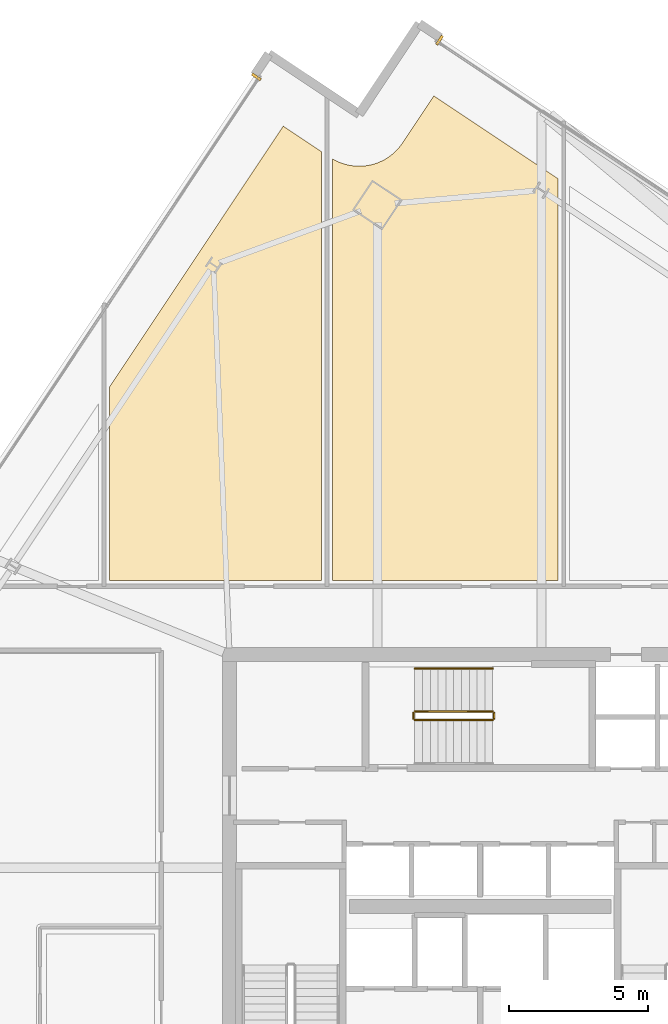
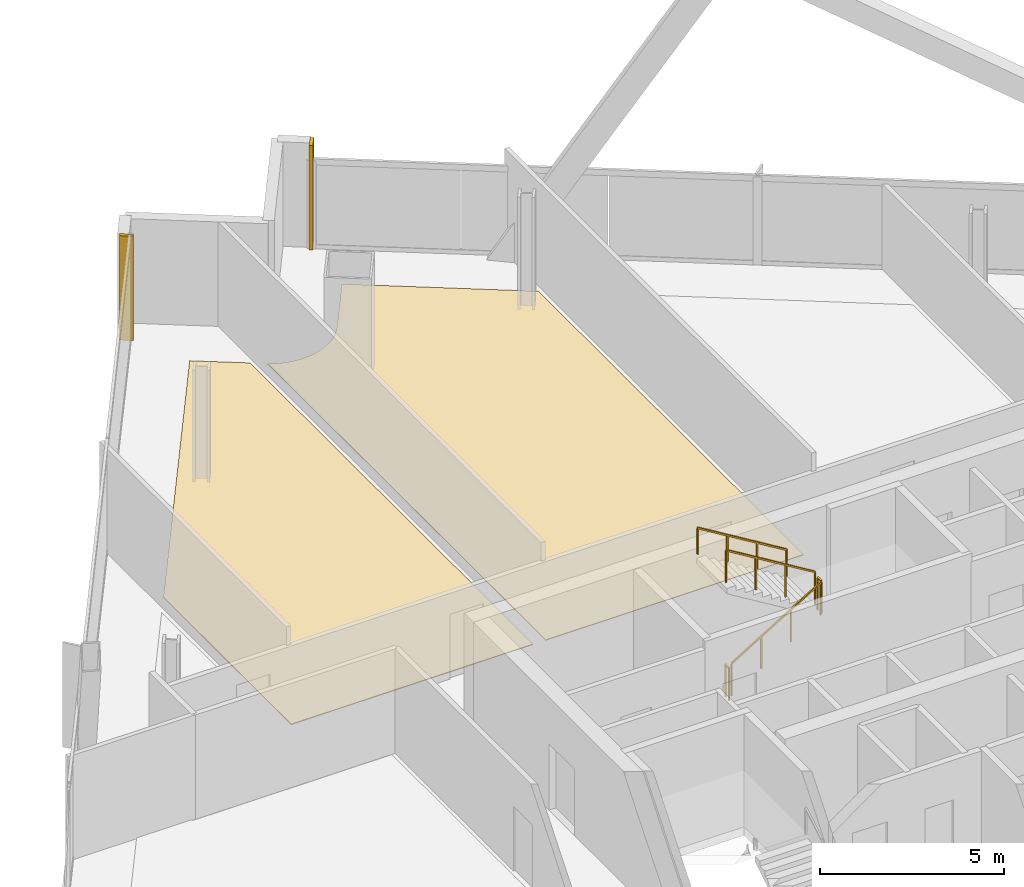
# One storey, part 31 of 32: 5 railings, 4 coverings.
"""IFC4 building model written with IfcOpenShell, lengths in metres."""

from ifc_helpers import new_model, si_unit, direction, frame, origin, origin_2d, place, context, subcontext, project, spatial, polyline, rectangle, outline, extrude, source, transform, mapped, material, layer, layer_set, type_object, element, save


model = new_model("IFC4")

# Units and contexts
model_context = context("Model", 3, precision=1e-05, world=origin(), true_north=direction((0.0, 1.0)))
body_context = subcontext(model_context, "Body", "Model", "MODEL_VIEW")
ifc_project = project(units=[si_unit("LENGTHUNIT", "METRE"), si_unit("AREAUNIT", "SQUARE_METRE"), si_unit("VOLUMEUNIT", "CUBIC_METRE"), si_unit("PLANEANGLEUNIT", "RADIAN"), si_unit("MASSUNIT", "GRAM", prefix="KILO")], contexts=[model_context])

# Site, building, storey
site_placement = place(None, origin())
site = spatial("IfcSite", under=ifc_project, at=site_placement, CompositionType="ELEMENT")
building_placement = place(site_placement, origin())
building = spatial("IfcBuilding", under=site, at=building_placement, Name="Haldenkirk Collegiate Tower", CompositionType="ELEMENT")
storey_placement = place(building_placement, frame((0.0, 0.0, 217.199951171875)))
storey = spatial("IfcBuildingStorey", under=building, at=storey_placement, Name="L54", CompositionType="ELEMENT", Elevation=217.199951171875)

# Coverings
ifc_material_1 = material(Name="Polished collegiate terrazzo", Category="concrete")
ifc_layer_1 = layer(ifc_material_1, 0.02490234375)
ifc_layer_set_1 = layer_set([ifc_layer_1], Name="Polished collegiate terrazzo")
covering_type_1 = type_object("IfcCoveringType", Name="COV-FLOOR-TERRAZZO", PredefinedType="FLOORING", material=ifc_layer_set_1)
covering_1_placement = place(storey_placement, origin())
element("IfcCovering", 1, at=covering_1_placement, inside=storey, type_object=covering_type_1, Name="L54 academic room finish 06", PredefinedType="FLOORING", context=body_context, shape_type="SweptSolid", body=[
    extrude(outline(polyline([(30.300048828125, 52.05419921875), (30.300048828125, 36.64990234375), (22.699951171875, 36.64990234375), (22.699951171875, 43.61083984375), (28.92822265625, 52.96728515625), (30.300048828125, 52.05419921875)])), origin(), (0.0, 0.0, 1.0), 0.025146484375),
])
ifc_material_2 = material(Name="Engineered collegiate oak acoustic flooring", Category="wood")
ifc_layer_2 = layer(ifc_material_2, 0.02197265625)
ifc_layer_set_2 = layer_set([ifc_layer_2], Name="Engineered collegiate oak acoustic flooring")
covering_type_2 = type_object("IfcCoveringType", Name="COV-FLOOR-TIMBER", PredefinedType="FLOORING", material=ifc_layer_set_2)
covering_2_placement = place(storey_placement, origin())
element("IfcCovering", 2, at=covering_2_placement, inside=storey, type_object=covering_type_2, Name="L54 academic room finish 07", PredefinedType="FLOORING", context=body_context, shape_type="SweptSolid", body=[
    extrude(outline(polyline([(30.699951171875, 51.79345703125), (30.7705078125, 51.751220703125), (30.78076171875, 51.745849609375), (30.93603515625, 51.672607421875), (30.947021484375, 51.668212890625), (31.10888671875, 51.610595703125), (31.1201171875, 51.607421875), (31.286865234375, 51.56591796875), (31.29833984375, 51.5634765625), (31.46826171875, 51.53857421875), (31.47998046875, 51.537353515625), (31.651611328125, 51.529296875), (31.663330078125, 51.529296875), (31.8349609375, 51.5380859375), (31.8466796875, 51.539306640625), (32.016357421875, 51.564697265625), (32.028076171875, 51.56689453125), (32.194580078125, 51.60888671875), (32.205810546875, 51.612548828125), (32.367431640625, 51.670654296875), (32.378173828125, 51.67529296875), (32.533447265625, 51.748779296875), (32.543701171875, 51.75439453125), (32.69091796875, 51.843017578125), (32.70068359375, 51.849609375), (32.83837890625, 51.9521484375), (32.847412109375, 51.959716796875), (32.974609375, 52.0751953125), (32.98291015625, 52.08349609375), (33.097900390625, 52.2109375), (33.10546875, 52.22021484375), (33.20751953125, 52.358154296875), (33.2109375, 52.363037109375), (34.335693359375, 54.052734375), (38.800048828125, 51.0810546875), (38.800048828125, 36.64990234375), (30.699951171875, 36.64990234375), (30.699951171875, 51.79345703125)])), origin(), (0.0, 0.0, 1.0), 0.02197265625),
])

# Railings
ifc_material_3 = material(Name="Painted architectural tubular steel", Category="steel")
railing_type_1 = type_object("IfcRailingType", Name="RLG-STAIR-GUARD-1100", PredefinedType="BALUSTRADE", material=ifc_material_3)
railing_1_placement = place(storey_placement, frame((33.64990234375, 31.64990234375, 0.17041015625)))
element("IfcRailing", 3, at=railing_1_placement, inside=storey, type_object=railing_type_1, Name="L54 ST-3 stair guard 1", PredefinedType="BALUSTRADE", context=body_context, shape_type="SweptSolid", body=[
    extrude(rectangle(XDim=0.048095703125, YDim=0.048095703125, at=origin_2d()), frame((0.0, 0.0, 1.076171875), z_axis=(0.854169791009, 0.0, 0.51999420009), x_axis=(0.0, 1.0, 0.0)), (0.0, 0.0, 1.0), 3.278076171875),
    extrude(rectangle(XDim=0.0419921875, YDim=0.0419921875, at=origin_2d()), origin(), (0.0, 0.0, 1.0), 1.052001953125),
    extrude(rectangle(XDim=0.0419921875, YDim=0.0419921875, at=origin_2d()), frame((0.933349609375, 0.0, 0.568115234375)), (0.0, 0.0, 1.0), 1.052001953125),
    extrude(rectangle(XDim=0.0419921875, YDim=0.0419921875, at=origin_2d()), frame((1.86669921875, 0.0, 1.136474609375)), (0.0, 0.0, 1.0), 1.052001953125),
    extrude(rectangle(XDim=0.0419921875, YDim=0.0419921875, at=origin_2d()), frame((2.800048828125, 0.0, 1.70458984375)), (0.0, 0.0, 1.0), 1.052001953125),
])
railing_2_placement = place(storey_placement, frame((36.5, 31.699951171875, 1.875)))
element("IfcRailing", 4, at=railing_2_placement, inside=storey, type_object=railing_type_1, Name="L54 ST-3 stair guard 2", PredefinedType="BALUSTRADE", context=body_context, shape_type="SweptSolid", body=[
    extrude(rectangle(XDim=0.048095703125, YDim=0.048095703125, at=origin_2d()), frame((0.0, 0.0, 1.076171875), z_axis=(0.0, 1.0, 0.0), x_axis=(-1.0, 0.0, 0.0)), (0.0, 0.0, 1.0), 0.199951171875),
    extrude(rectangle(XDim=0.0419921875, YDim=0.0419921875, at=origin_2d()), origin(), (0.0, 0.0, 1.0), 1.052001953125),
    extrude(rectangle(XDim=0.0419921875, YDim=0.0419921875, at=origin_2d()), frame((0.0, 0.199951171875, 0.0)), (0.0, 0.0, 1.0), 1.052001953125),
])
railing_3_placement = place(storey_placement, frame((36.449951171875, 31.949951171875, 2.04541015625)))
element("IfcRailing", 5, at=railing_3_placement, inside=storey, type_object=railing_type_1, Name="L54 ST-3 stair guard 3", PredefinedType="BALUSTRADE", context=body_context, shape_type="SweptSolid", body=[
    extrude(rectangle(XDim=0.048095703125, YDim=0.048095703125, at=origin_2d()), frame((0.0, 0.0, 1.076171875), z_axis=(-0.854169791009, 0.0, 0.51999420009), x_axis=(0.0, -1.0, 0.0)), (0.0, 0.0, 1.0), 3.278076171875),
    extrude(rectangle(XDim=0.0419921875, YDim=0.0419921875, at=origin_2d()), origin(), (0.0, 0.0, 1.0), 1.052001953125),
    extrude(rectangle(XDim=0.0419921875, YDim=0.0419921875, at=origin_2d()), frame((-0.933349609375, 0.0, 0.568115234375)), (0.0, 0.0, 1.0), 1.052001953125),
    extrude(rectangle(XDim=0.0419921875, YDim=0.0419921875, at=origin_2d()), frame((-1.86669921875, 0.0, 1.136474609375)), (0.0, 0.0, 1.0), 1.052001953125),
    extrude(rectangle(XDim=0.0419921875, YDim=0.0419921875, at=origin_2d()), frame((-2.800048828125, 0.0, 1.70458984375)), (0.0, 0.0, 1.0), 1.052001953125),
])
railing_4_placement = place(storey_placement, frame((33.60009765625, 31.699951171875, 0.0)))
element("IfcRailing", 6, at=railing_4_placement, inside=storey, type_object=railing_type_1, Name="L54 ST-3 stair guard 4", PredefinedType="BALUSTRADE", context=body_context, shape_type="SweptSolid", body=[
    extrude(rectangle(XDim=0.048095703125, YDim=0.048095703125, at=origin_2d()), frame((0.0, 0.0, 1.076171875), z_axis=(0.0, 1.0, 0.0), x_axis=(-1.0, 0.0, 0.0)), (0.0, 0.0, 1.0), 0.199951171875),
    extrude(rectangle(XDim=0.0419921875, YDim=0.0419921875, at=origin_2d()), origin(), (0.0, 0.0, 1.0), 1.052001953125),
    extrude(rectangle(XDim=0.0419921875, YDim=0.0419921875, at=origin_2d()), frame((0.0, 0.199951171875, 0.0)), (0.0, 0.0, 1.0), 1.052001953125),
])
railing_type_2 = type_object("IfcRailingType", Name="RLG-STAIR-HANDRAIL-900", PredefinedType="HANDRAIL", material=ifc_material_3)
railing_5_placement = place(storey_placement, frame((36.449951171875, 33.5, 2.04541015625)))
element("IfcRailing", 7, at=railing_5_placement, inside=storey, type_object=railing_type_2, Name="L54 ST-3 stair handrail 2", PredefinedType="HANDRAIL", context=body_context, shape_type="SweptSolid", body=[
    extrude(rectangle(XDim=0.048095703125, YDim=0.048095703125, at=origin_2d()), frame((0.0, 0.0, 0.8759765625), z_axis=(-0.854169791009, 0.0, 0.51999420009), x_axis=(0.0, -1.0, 0.0)), (0.0, 0.0, 1.0), 3.278076171875),
    extrude(rectangle(XDim=0.0419921875, YDim=0.0419921875, at=origin_2d()), origin(), (0.0, 0.0, 1.0), 0.851806640625),
    extrude(rectangle(XDim=0.0419921875, YDim=0.0419921875, at=origin_2d()), frame((-0.933349609375, 0.0, 0.568115234375)), (0.0, 0.0, 1.0), 0.851806640625),
    extrude(rectangle(XDim=0.0419921875, YDim=0.0419921875, at=origin_2d()), frame((-1.86669921875, 0.0, 1.136474609375)), (0.0, 0.0, 1.0), 0.851806640625),
    extrude(rectangle(XDim=0.0419921875, YDim=0.0419921875, at=origin_2d()), frame((-2.800048828125, 0.0, 1.70458984375)), (0.0, 0.0, 1.0), 0.851806640625),
])

# Coverings
ifc_material_4 = material(Name="Anodised architectural bronze aluminium", Category="aluminium")
ifc_layer_3 = layer(ifc_material_4, 0.06005859375)
ifc_layer_set_3 = layer_set([ifc_layer_3], Name="Anodised architectural bronze aluminium")
covering_type_3 = type_object("IfcCoveringType", Name="COV-CLAD-BRONZE-60", PredefinedType="CLADDING", material=ifc_layer_set_3)
shared_shape = source(origin(), body_context, "Body", "SweptSolid", [
    extrude(rectangle(XDim=0.10009765625, YDim=0.3798828125, at=origin_2d()), origin(), (0.0, 0.0, 1.0), 3.469970703125),
])
for number, where, z_axis, x_axis, name in (
    (8, (34.53955078125, 56.055419921875, 0.0), (0.0, 0.0, 1.0), (0.832437998389, -0.554118199338, 0.0), "L54 recessed curtain-wall bronze jamb closure EJL"),
    (9, (27.96728515625, 54.736083984375, 0.0), (0.0, 0.0, 1.0), (0.554118199338, 0.832437998389, 0.0), "L54 recessed curtain-wall bronze jamb closure NJR"),
):
    element("IfcCovering", number, at=place(storey_placement, frame(where, z_axis=z_axis, x_axis=x_axis)), inside=storey, type_object=covering_type_3, Name=name, PredefinedType="CLADDING", context=body_context, shape_type="MappedRepresentation", body=[
        mapped(shared_shape, transform((0.0, 0.0, 0.0), x_axis=(1.0, 0.0, 0.0), y_axis=(0.0, 1.0, 0.0), z_axis=(0.0, 0.0, 1.0), scale=1.0)),
    ])

save(model, "model.ifc")
